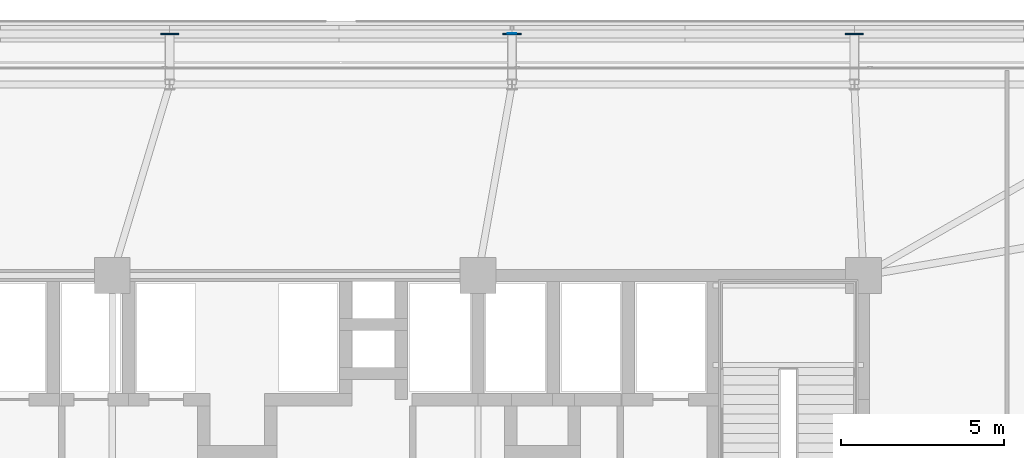
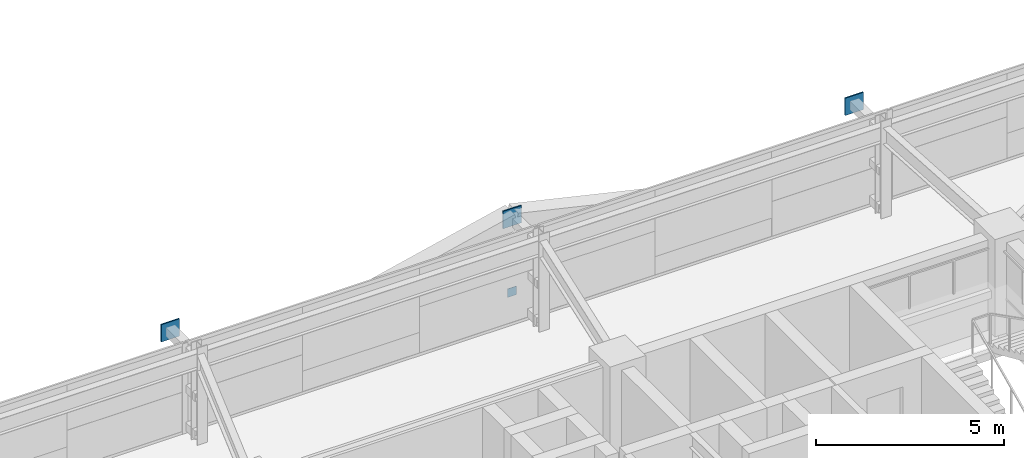
# One storey, part 46 of 56: 4 plates.
"""IFC4 building model written with IfcOpenShell, lengths in metres."""

from ifc_helpers import new_model, si_unit, direction, frame, origin, origin_2d, place, context, subcontext, project, spatial, rectangle, extrude, source, transform, mapped, material, layer, layer_set, type_object, element, save


model = new_model("IFC4")

# Units and contexts
model_context = context("Model", 3, precision=1e-05, world=origin(), true_north=direction((0.0, 1.0)))
body_context = subcontext(model_context, "Body", "Model", "MODEL_VIEW")
ifc_project = project(units=[si_unit("LENGTHUNIT", "METRE"), si_unit("AREAUNIT", "SQUARE_METRE"), si_unit("VOLUMEUNIT", "CUBIC_METRE"), si_unit("PLANEANGLEUNIT", "RADIAN"), si_unit("MASSUNIT", "GRAM", prefix="KILO")], contexts=[model_context])

# Site, building, storey
site_placement = place(None, origin())
site = spatial("IfcSite", under=ifc_project, at=site_placement, CompositionType="ELEMENT")
building_placement = place(site_placement, origin())
building = spatial("IfcBuilding", under=site, at=building_placement, Name="Taldren Reach Tower", CompositionType="ELEMENT")
storey_placement = place(building_placement, frame((0.0, 0.0, 16.800048828125)))
storey = spatial("IfcBuildingStorey", under=building, at=storey_placement, Name="L04", CompositionType="ELEMENT", Elevation=16.800048828125)

# Plates
ifc_material = material(Name="Steel Gr 450 (C450L0)", Category="steel")
ifc_layer_1 = layer(ifc_material, 0.0400390625)
ifc_layer_set_1 = layer_set([ifc_layer_1], Name="Steel Gr 450 (C450L0)")
plate_type_1 = type_object("IfcPlateType", Name="PL-GUSSET-40", PredefinedType="SHEET", material=ifc_layer_set_1)
shared_shape_1 = source(origin(), body_context, "Body", "SweptSolid", [
    extrude(rectangle(XDim=0.56005859375, YDim=0.0400390625, at=origin_2d()), origin(), (0.0, 0.0, 1.0), 0.56005859375),
])
for number, where, z_axis, x_axis, name in (
    (1, (29.760009765625, 39.39990234375, 2.369873046875), (0.0, 0.0, 1.0), (1.0, 0.0, 0.0), "Exoskeleton star-node gusset plate B1-N3 L04"),
    (2, (40.239990234375, 39.39990234375, 2.369873046875), (0.0, 0.0, 1.0), (1.0, 0.0, 0.0), "Exoskeleton star-node gusset plate B1-N4 L04"),
    (3, (50.719970703125, 39.39990234375, 2.369873046875), (0.0, 0.0, 1.0), (1.0, 0.0, 0.0), "Exoskeleton star-node gusset plate B1-N5 L04"),
):
    element("IfcPlate", number, at=place(storey_placement, frame(where, z_axis=z_axis, x_axis=x_axis)), inside=storey, type_object=plate_type_1, Name=name, PredefinedType="SHEET", context=body_context, shape_type="MappedRepresentation", body=[
        mapped(shared_shape_1, transform((0.0, 0.0, 0.0), scale=1.0)),
    ])
ifc_layer_2 = layer(ifc_material, 0.011962890625)
ifc_layer_set_2 = layer_set([ifc_layer_2], Name="Steel Gr 450 (C450L0)")
plate_type_2 = type_object("IfcPlateType", Name="PL-CAP-275", PredefinedType="SHEET", material=ifc_layer_set_2)
shared_shape_2 = source(origin(), body_context, "Body", "SweptSolid", [
    extrude(rectangle(XDim=0.27490234375, YDim=0.011962890625, at=origin_2d()), origin(), (0.0, 0.0, 1.0), 0.27490234375),
])
plate_placement = place(storey_placement, frame((40.239990234375, 39.406005859375, 0.08251953125), z_axis=(0.0, 0.0, 1.0), x_axis=(1.0, 0.0, 0.0)))
element("IfcPlate", 4, at=plate_placement, inside=storey, type_object=plate_type_2, Name="Tie strut end cap plate B1-N4 L04", PredefinedType="SHEET", context=body_context, shape_type="MappedRepresentation", body=[
    mapped(shared_shape_2, transform((0.0, 0.0, 0.0), scale=1.0)),
])

save(model, "model.ifc")
